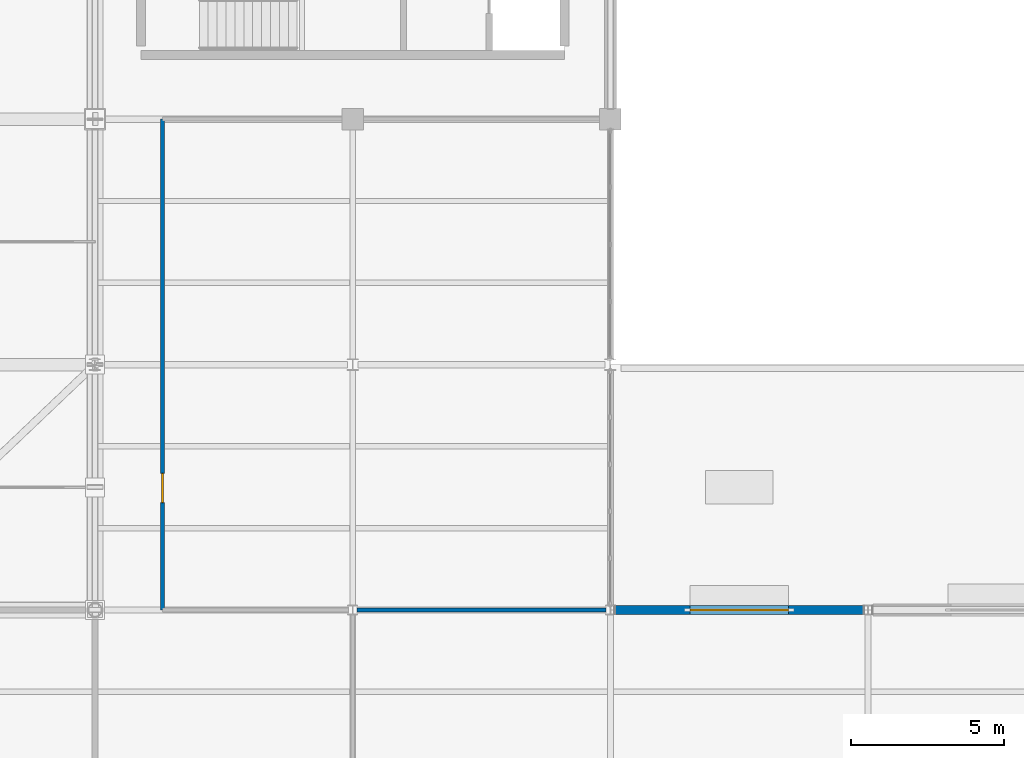
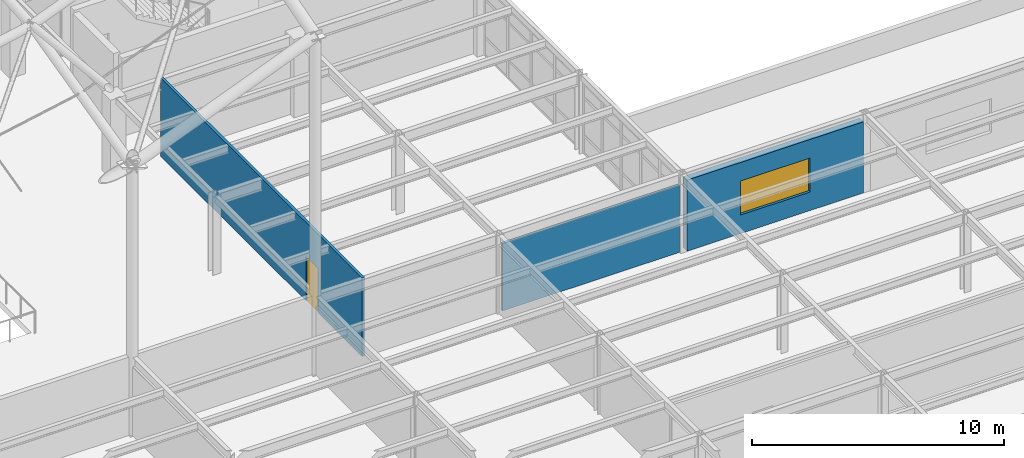
# One storey, part 73 of 138: 3 walls, 1 door, 1 window, 2 openings.
"""IFC4 building model written with IfcOpenShell, lengths in metres."""

from ifc_helpers import new_model, si_unit, direction, frame, frame_2d, origin, place, context, subcontext, project, spatial, rectangle, extrude, material, layer, layer_set, type_object, element, fill, save


model = new_model("IFC4")

# Units and contexts
model_context = context("Model", 3, precision=1e-05, world=origin(), true_north=direction((0.0, 1.0)))
body_context = subcontext(model_context, "Body", "Model", "MODEL_VIEW")
ifc_project = project(units=[si_unit("LENGTHUNIT", "METRE"), si_unit("AREAUNIT", "SQUARE_METRE"), si_unit("VOLUMEUNIT", "CUBIC_METRE"), si_unit("PLANEANGLEUNIT", "RADIAN"), si_unit("MASSUNIT", "GRAM", prefix="KILO")], contexts=[model_context])

# Site, building, storey
site_placement = place(None, origin())
site = spatial("IfcSite", under=ifc_project, at=site_placement, CompositionType="ELEMENT")
building_placement = place(site_placement, origin())
building = spatial("IfcBuilding", under=site, at=building_placement, Name="Kranzveld Transit Interchange", CompositionType="ELEMENT")
storey_placement = place(building_placement, frame((0.0, 0.0, 5.43994140625)))
storey = spatial("IfcBuildingStorey", under=building, at=storey_placement, Name="L01", CompositionType="ELEMENT", Elevation=5.43994140625)

# Wall, opening, window
ifc_material_1 = material(Name="Ochre Pretoria sandstone cladding, 45 MPa", Category="masonry")
ifc_layer_1 = layer(ifc_material_1, 0.300048828125)
ifc_layer_set_1 = layer_set([ifc_layer_1], Name="Ochre Pretoria sandstone cladding, 45 MPa")
wall_type_1 = type_object("IfcWallType", Name="Exterior Sandstone Spandrel Wall 300", PredefinedType="SOLIDWALL", material=ifc_layer_set_1)
wall_1_placement = place(storey_placement, frame((117.754638671875, 56.0, 0.0), z_axis=(0.0, 0.0, 1.0), x_axis=(1.0, 0.0, 0.0)))
wall_1 = element("IfcWall", 1, at=wall_1_placement, inside=storey, type_object=wall_type_1, Name="L01 Clinker Facade Wall 15/H-16/H", PredefinedType="SOLIDWALL", context=body_context, shape_type="SweptSolid", body=[
    extrude(rectangle(XDim=8.0908203125, YDim=0.300048828125, at=frame_2d((4.04541015625, 0.0))), origin(), (0.0, 0.0, 1.0), 3.449951171875),
])
opening_1_placement = place(wall_1_placement, frame((2.4453125, 0.0, 0.89990234375), z_axis=(0.0, 0.0, 1.0), x_axis=(1.0, 0.0, 0.0)))
opening_1 = element("IfcOpeningElement", 2, at=opening_1_placement, cuts=wall_1, Name="Opening W-03", PredefinedType="OPENING", context=body_context, shape_type="SweptSolid", body=[
    extrude(rectangle(XDim=3.199951171875, YDim=1.64990234375, at=frame_2d((1.60009765625, 0.824951171875))), frame((0.0, 0.159912109375, 0.0), z_axis=(0.0, -1.0, 0.0), x_axis=(1.0, 0.0, 0.0)), (0.0, 0.0, 1.0), 0.320068359375),
])
ifc_material_2 = material(Name="Solar-control double glazing", Category="glass")
window_type = type_object("IfcWindowType", Name="Window Ribbon Triple 3200x1650", PartitioningType="TRIPLE_PANEL_VERTICAL", PredefinedType="WINDOW", material=ifc_material_2)
window_placement = place(opening_1_placement, origin())
window = element("IfcWindow", 3, at=window_placement, inside=storey, type_object=window_type, Name="L01 Facade Window 15/H", OverallHeight=1.64990234375, OverallWidth=3.199951171875, PartitioningType="TRIPLE_PANEL_VERTICAL", PredefinedType="WINDOW", context=body_context, shape_type="SweptSolid", body=[
    extrude(rectangle(XDim=3.199951171875, YDim=1.64990234375, at=frame_2d((1.60009765625, 0.824951171875))), frame((0.0, 0.030029296875, 0.0), z_axis=(0.0, -1.0, 0.0), x_axis=(1.0, 0.0, 0.0)), (0.0, 0.0, 1.0), 0.06005859375),
])
fill(opening_1, window)

# Wall, opening, door
ifc_material_3 = material(Name="Clay masonry unit wall, 20 MPa", Category="masonry")
ifc_layer_2 = layer(ifc_material_3, 0.125)
ifc_layer_set_2 = layer_set([ifc_layer_2], Name="Clay masonry unit wall, 20 MPa")
wall_type_2 = type_object("IfcWallType", Name="Internal Blockwork Partition 125", PredefinedType="PARTITIONING", material=ifc_layer_set_2)
wall_2_placement = place(storey_placement, frame((103.0, 56.0, 0.0), z_axis=(0.0, 0.0, 1.0), x_axis=(0.0, 1.0, 0.0)))
wall_2 = element("IfcWall", 4, at=wall_2_placement, inside=storey, type_object=wall_type_2, Name="L01 Partition IW-L01-L01V4W-FRT-141-0", PredefinedType="PARTITIONING", context=body_context, shape_type="SweptSolid", body=[
    extrude(rectangle(XDim=16.0, YDim=0.125, at=frame_2d((8.0, 0.0))), origin(), (0.0, 0.0, 1.0), 3.800048828125),
])
opening_2_placement = place(wall_2_placement, frame((4.449951171875, 0.0, 0.0), z_axis=(0.0, 0.0, 1.0), x_axis=(-1.0, 0.0, 0.0)))
opening_2 = element("IfcOpeningElement", 5, at=opening_2_placement, cuts=wall_2, Name="Opening D-141", PredefinedType="OPENING", context=body_context, shape_type="SweptSolid", body=[
    extrude(rectangle(XDim=0.949951171875, YDim=2.14990234375, at=frame_2d((0.47509765625, 1.074951171875))), frame((0.0, 0.072509765625, 0.0), z_axis=(0.0, -1.0, 0.0), x_axis=(1.0, 0.0, 0.0)), (0.0, 0.0, 1.0), 0.14501953125),
])
ifc_material_4 = material(Name="Bronze-anodised thermally broken aluminium", Category="aluminium")
door_type = type_object("IfcDoorType", Name="Internal Office Door 950x2150", OperationType="NOTDEFINED", PredefinedType="DOOR", material=ifc_material_4)
door_placement = place(opening_2_placement, origin())
door = element("IfcDoor", 6, at=door_placement, inside=storey, type_object=door_type, Name="L01 Interior Door D-141", OperationType="SINGLE_SWING_LEFT", OverallHeight=2.14990234375, OverallWidth=0.949951171875, PredefinedType="DOOR", context=body_context, shape_type="SweptSolid", body=[
    extrude(rectangle(XDim=0.949951171875, YDim=2.14990234375, at=frame_2d((0.47509765625, 1.074951171875))), frame((0.0, 0.02490234375, 0.0), z_axis=(0.0, -1.0, 0.0), x_axis=(1.0, 0.0, 0.0)), (0.0, 0.0, 1.0), 0.050048828125),
])
fill(opening_2, door)

# Wall
wall_3_placement = place(storey_placement, frame((109.344482421875, 56.0, 0.0), z_axis=(0.0, 0.0, 1.0), x_axis=(1.0, 0.0, 0.0)))
element("IfcWall", 7, at=wall_3_placement, inside=storey, type_object=wall_type_2, Name="L01 Partition IW-L01-L01V1E-BCK-107-0", PredefinedType="PARTITIONING", context=body_context, shape_type="SweptSolid", body=[
    extrude(rectangle(XDim=8.11083984375, YDim=0.125, at=frame_2d((4.055419921875, 0.0))), origin(), (0.0, 0.0, 1.0), 3.260498046875),
])

save(model, "model.ifc")
